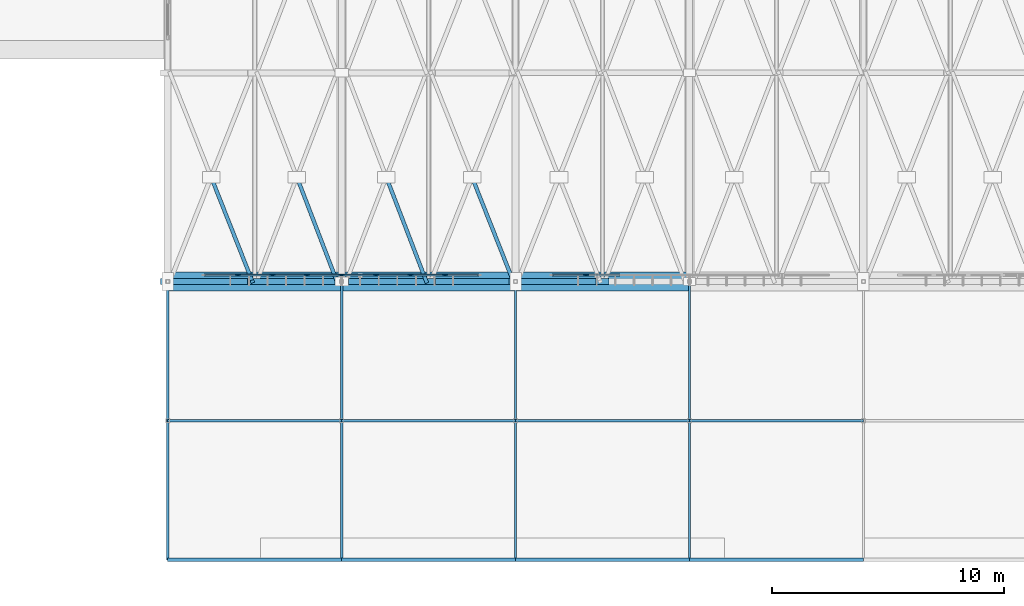
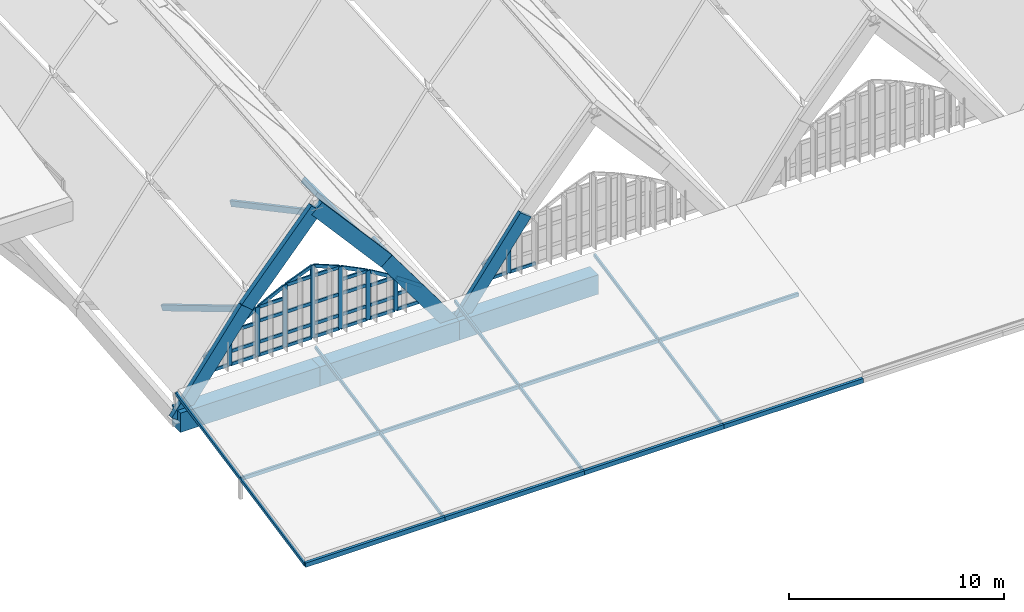
# One storey, part 23 of 93: 62 members, 8 beams, 2 elements without a shape of their own.
"""IFC4 building model written with IfcOpenShell, lengths in metres."""

from ifc_helpers import new_model, si_unit, direction, frame, origin, origin_2d, place, context, subcontext, project, spatial, rectangle, hollow_rectangle, extrude, material, material_profile, profile_set, type_object, element, aggregate, save


model = new_model("IFC4")

# Units and contexts
model_context = context("Model", 3, precision=1e-05, world=origin(), true_north=direction((0.0, 1.0)))
body_context = subcontext(model_context, "Body", "Model", "MODEL_VIEW")
ifc_project = project(units=[si_unit("LENGTHUNIT", "METRE"), si_unit("AREAUNIT", "SQUARE_METRE"), si_unit("VOLUMEUNIT", "CUBIC_METRE"), si_unit("PLANEANGLEUNIT", "RADIAN"), si_unit("MASSUNIT", "GRAM", prefix="KILO")], contexts=[model_context])

# Site, building, storey
site_placement = place(None, origin())
site = spatial("IfcSite", under=ifc_project, at=site_placement, CompositionType="ELEMENT")
building_placement = place(site_placement, origin())
building = spatial("IfcBuilding", under=site, at=building_placement, Name="Vourika Railside Aquatics Centre", CompositionType="ELEMENT")
storey_placement = place(building_placement, frame((0.0, 0.0, 21.89990234375)))
storey = spatial("IfcBuildingStorey", under=building, at=storey_placement, Name="Roof", CompositionType="ELEMENT", Elevation=21.89990234375)

# Beams
ifc_material_1 = material(Name="Glulam GL32h", Category="wood")
ifc_material_profile_1 = material_profile(ifc_material_1, rectangle(XDim=0.239990234375, YDim=0.719970703125, at=origin_2d()), Name="GL32h 240x720")
ifc_profile_set_1 = profile_set([ifc_material_profile_1], Name="Glulam GL32h")
beam_type_1 = type_object("IfcBeamType", Name="BM-GL-ARCH-240x720", PredefinedType="BEAM", material=ifc_profile_set_1)
beam_1_placement = place(storey_placement, frame((51.0, 12.0, -11.699951171875), z_axis=(0.592383087934, 0.0, 0.805656426233), x_axis=(0.0, 1.0, 0.0)))
element("IfcBeam", 1, at=beam_1_placement, inside=storey, type_object=beam_type_1, Name="Pointed Glulam Vault Arch Rib GAR-0035", PredefinedType="BEAM", context=body_context, shape_type="SweptSolid", body=[
    extrude(rectangle(XDim=0.239990234375, YDim=0.719970703125, at=origin_2d()), origin(), (0.0, 0.0, 1.0), 6.330322265625),
])
ifc_material_profile_2 = material_profile(ifc_material_1, rectangle(XDim=0.260009765625, YDim=0.760009765625, at=origin_2d()), Name="GL32h 260x760")
ifc_profile_set_2 = profile_set([ifc_material_profile_2], Name="Glulam GL32h")
beam_type_2 = type_object("IfcBeamType", Name="BM-GL-ARCH-260x760", PredefinedType="BEAM", material=ifc_profile_set_2)
beam_2_placement = place(storey_placement, frame((36.0, 12.0, -11.699951171875), z_axis=(0.592383087934, 0.0, 0.805656426233), x_axis=(0.0, 1.0, 0.0)))
element("IfcBeam", 2, at=beam_2_placement, inside=storey, type_object=beam_type_2, Name="Pointed Glulam Vault Arch Rib GAR-0001", PredefinedType="BEAM", context=body_context, shape_type="SweptSolid", body=[
    extrude(rectangle(XDim=0.260009765625, YDim=0.760009765625, at=origin_2d()), origin(), (0.0, 0.0, 1.0), 6.330322265625),
])
for number, where, z_axis, x_axis, name in (
    (3, (39.75, 12.0, -6.599853515625), (0.657258623263, 0.0, 0.75366511273), (0.0, 1.0, 0.0), "Pointed Glulam Vault Arch Rib GAR-0002"),
    (4, (43.5, 12.0, -2.2998046875), (0.657258623263, 0.0, -0.75366511273), (0.0, 1.0, 0.0), "Pointed Glulam Vault Arch Rib GAR-0003"),
):
    element("IfcBeam", number, at=place(storey_placement, frame(where, z_axis=z_axis, x_axis=x_axis)), inside=storey, type_object=beam_type_2, Name=name, PredefinedType="BEAM", context=body_context, shape_type="SweptSolid", body=[
        extrude(rectangle(XDim=0.260009765625, YDim=0.760009765625, at=origin_2d()), origin(), (0.0, 0.0, 1.0), 5.70556640625),
    ])
beam_3_placement = place(storey_placement, frame((47.25, 12.0, -6.599853515625), z_axis=(0.592383087934, 0.0, -0.805656426233), x_axis=(0.0, 1.0, 0.0)))
element("IfcBeam", 5, at=beam_3_placement, inside=storey, type_object=beam_type_2, Name="Pointed Glulam Vault Arch Rib GAR-0004", PredefinedType="BEAM", context=body_context, shape_type="SweptSolid", body=[
    extrude(rectangle(XDim=0.260009765625, YDim=0.760009765625, at=origin_2d()), origin(), (0.0, 0.0, 1.0), 6.330322265625),
])
ifc_material_2 = material(Name="Concrete C40/50", Category="concrete")
ifc_material_profile_3 = material_profile(ifc_material_2, rectangle(XDim=0.800048828125, YDim=1.10009765625, at=origin_2d()), Name="RC 800x1100")
ifc_profile_set_3 = profile_set([ifc_material_profile_3], Name="Concrete C40/50")
beam_type_3 = type_object("IfcBeamType", Name="BM-RING-800x1100", PredefinedType="BEAM", material=ifc_profile_set_3)
for number, where, z_axis, x_axis, name in (
    (6, (36.0, 12.0, -11.699951171875), (1.0, 0.0, 0.0), (0.0, 1.0, 0.0), "Vault Springing Ring Beam S (36.0-43.5)"),
    (7, (43.5, 12.0, -11.699951171875), (1.0, 0.0, 0.0), (0.0, 1.0, 0.0), "Vault Springing Ring Beam S (43.5-51.0)"),
    (8, (51.0, 12.0, -11.699951171875), (1.0, 0.0, 0.0), (0.0, 1.0, 0.0), "Vault Springing Ring Beam S (51.0-58.5)"),
):
    element("IfcBeam", number, at=place(storey_placement, frame(where, z_axis=z_axis, x_axis=x_axis)), inside=storey, type_object=beam_type_3, Name=name, PredefinedType="BEAM", context=body_context, shape_type="SweptSolid", body=[
        extrude(rectangle(XDim=0.800048828125, YDim=1.10009765625, at=origin_2d()), origin(), (0.0, 0.0, 1.0), 7.5),
    ])

# Curtain wall, members
ifc_material_3 = material(Name="Anodized thermally broken aluminium", Category="aluminium")
curtain_wall_type = type_object("IfcCurtainWallType", Name="CW-VLTS1", PredefinedType="NOTDEFINED", material=ifc_material_3)
curtain_wall_1_placement = place(storey_placement, origin())
curtain_wall_1 = element("IfcCurtainWall", 9, at=curtain_wall_1_placement, inside=storey, type_object=curtain_wall_type, Name="South Boulevard Pointed-Arch Clerestory Curtain Wall Bay 1", PredefinedType="NOTDEFINED")
ifc_material_4 = material(Name="Anodized aluminium mullion", Category="aluminium")
ifc_material_profile_4 = material_profile(ifc_material_4, rectangle(XDim=0.08203125, YDim=0.235107421875, at=origin_2d()), Name="ALU-M 82x235")
ifc_profile_set_4 = profile_set([ifc_material_profile_4], Name="Anodized aluminium mullion")
member_type_1 = type_object("IfcMemberType", Name="CWM-VLTS1", PredefinedType="MULLION", material=ifc_profile_set_4)
member_1_placement = place(storey_placement, frame((39.03759765625, 12.280029296875, -9.8798828125), z_axis=(0.0, 0.0, 1.0), x_axis=(0.0, 1.0, 0.0)))
member_1 = element("IfcMember", 10, at=member_1_placement, type_object=member_type_1, Name="CW03 arch mullion 2", PredefinedType="MULLION", context=body_context, shape_type="SweptSolid", body=[
    extrude(rectangle(XDim=0.08203125, YDim=0.235107421875, at=origin_2d()), origin(), (0.0, 0.0, 1.0), 1.906005859375),
])
member_2_placement = place(storey_placement, frame((40.52490234375, 12.280029296875, -9.8798828125), z_axis=(0.0, 0.0, 1.0), x_axis=(0.0, 1.0, 0.0)))
member_2 = element("IfcMember", 11, at=member_2_placement, type_object=member_type_1, Name="CW03 arch mullion 3", PredefinedType="MULLION", context=body_context, shape_type="SweptSolid", body=[
    extrude(rectangle(XDim=0.08203125, YDim=0.235107421875, at=origin_2d()), origin(), (0.0, 0.0, 1.0), 2.7890625),
])
member_3_placement = place(storey_placement, frame((42.012451171875, 12.280029296875, -9.8798828125), z_axis=(0.0, 0.0, 1.0), x_axis=(0.0, 1.0, 0.0)))
member_3 = element("IfcMember", 12, at=member_3_placement, type_object=member_type_1, Name="CW03 arch mullion 4", PredefinedType="MULLION", context=body_context, shape_type="SweptSolid", body=[
    extrude(rectangle(XDim=0.08203125, YDim=0.235107421875, at=origin_2d()), origin(), (0.0, 0.0, 1.0), 3.531005859375),
])
member_4_placement = place(storey_placement, frame((43.5, 12.280029296875, -9.8798828125), z_axis=(0.0, 0.0, 1.0), x_axis=(0.0, 1.0, 0.0)))
member_4 = element("IfcMember", 13, at=member_4_placement, type_object=member_type_1, Name="CW03 arch mullion 5", PredefinedType="MULLION", context=body_context, shape_type="SweptSolid", body=[
    extrude(rectangle(XDim=0.08203125, YDim=0.235107421875, at=origin_2d()), origin(), (0.0, 0.0, 1.0), 4.1298828125),
])
member_5_placement = place(storey_placement, frame((44.987548828125, 12.280029296875, -9.8798828125), z_axis=(0.0, 0.0, 1.0), x_axis=(0.0, 1.0, 0.0)))
member_5 = element("IfcMember", 14, at=member_5_placement, type_object=member_type_1, Name="CW03 arch mullion 6", PredefinedType="MULLION", context=body_context, shape_type="SweptSolid", body=[
    extrude(rectangle(XDim=0.08203125, YDim=0.235107421875, at=origin_2d()), origin(), (0.0, 0.0, 1.0), 3.531005859375),
])
member_6_placement = place(storey_placement, frame((46.47509765625, 12.280029296875, -9.8798828125), z_axis=(0.0, 0.0, 1.0), x_axis=(0.0, 1.0, 0.0)))
member_6 = element("IfcMember", 15, at=member_6_placement, type_object=member_type_1, Name="CW03 arch mullion 7", PredefinedType="MULLION", context=body_context, shape_type="SweptSolid", body=[
    extrude(rectangle(XDim=0.08203125, YDim=0.235107421875, at=origin_2d()), origin(), (0.0, 0.0, 1.0), 2.7890625),
])
member_7_placement = place(storey_placement, frame((47.96240234375, 12.280029296875, -9.8798828125), z_axis=(0.0, 0.0, 1.0), x_axis=(0.0, 1.0, 0.0)))
member_7 = element("IfcMember", 16, at=member_7_placement, type_object=member_type_1, Name="CW03 arch mullion 8", PredefinedType="MULLION", context=body_context, shape_type="SweptSolid", body=[
    extrude(rectangle(XDim=0.08203125, YDim=0.235107421875, at=origin_2d()), origin(), (0.0, 0.0, 1.0), 1.906005859375),
])

# Curtain wall, member
curtain_wall_2_placement = place(storey_placement, origin())
curtain_wall_2 = element("IfcCurtainWall", 17, at=curtain_wall_2_placement, inside=storey, type_object=curtain_wall_type, Name="South Boulevard Pointed-Arch Clerestory Curtain Wall Bay 2", PredefinedType="NOTDEFINED")
member_8_placement = place(storey_placement, frame((54.03759765625, 12.280029296875, -9.8798828125), z_axis=(0.0, 0.0, 1.0), x_axis=(0.0, 1.0, 0.0)))
member_8 = element("IfcMember", 18, at=member_8_placement, type_object=member_type_1, Name="CW03 arch mullion 2", PredefinedType="MULLION", context=body_context, shape_type="SweptSolid", body=[
    extrude(rectangle(XDim=0.08203125, YDim=0.235107421875, at=origin_2d()), origin(), (0.0, 0.0, 1.0), 1.906005859375),
])

# Member
ifc_material_5 = material(Name="Anodized aluminium transom", Category="aluminium")
ifc_material_profile_5 = material_profile(ifc_material_5, rectangle(XDim=0.08203125, YDim=0.18505859375, at=origin_2d()), Name="ALU-T 82x185")
ifc_profile_set_5 = profile_set([ifc_material_profile_5], Name="Anodized aluminium transom")
member_type_2 = type_object("IfcMemberType", Name="CWT-VLTS1", PredefinedType="USERDEFINED", material=ifc_profile_set_5)
member_9_placement = place(storey_placement, frame((37.632080078125, 12.280029296875, -9.8388671875), z_axis=(1.0, 0.0, 0.0), x_axis=(0.0, 1.0, 0.0)))
member_9 = element("IfcMember", 19, at=member_9_placement, type_object=member_type_2, Name="CW03 transom 1.1", ObjectType="TRANSOM", PredefinedType="USERDEFINED", context=body_context, shape_type="SweptSolid", body=[
    extrude(rectangle(XDim=0.08203125, YDim=0.18505859375, at=origin_2d()), origin(), (0.0, 0.0, 1.0), 1.364501953125),
])

member_10_placement = place(storey_placement, frame((37.632080078125, 12.280029296875, -8.98095703125), z_axis=(1.0, 0.0, 0.0), x_axis=(0.0, 1.0, 0.0)))
member_10 = element("IfcMember", 20, at=member_10_placement, type_object=member_type_2, Name="CW03 transom 1.2", ObjectType="TRANSOM", PredefinedType="USERDEFINED", context=body_context, shape_type="SweptSolid", body=[
    extrude(rectangle(XDim=0.08203125, YDim=0.18505859375, at=origin_2d()), origin(), (0.0, 0.0, 1.0), 1.364501953125),
])

member_11_placement = place(storey_placement, frame((37.632080078125, 12.280029296875, -8.98095703125), z_axis=(0.823796708212, 0.0, 0.566885335442), x_axis=(0.0, 1.0, 0.0)))
member_11 = element("IfcMember", 21, at=member_11_placement, type_object=member_type_2, Name="CW03 arch chord transom 1", ObjectType="TRANSOM", PredefinedType="USERDEFINED", context=body_context, shape_type="SweptSolid", body=[
    extrude(rectangle(XDim=0.08203125, YDim=0.18505859375, at=origin_2d()), origin(), (0.0, 0.0, 1.0), 1.65625),
])

member_12_placement = place(storey_placement, frame((39.07861328125, 12.280029296875, -9.8388671875), z_axis=(1.0, 0.0, 0.0), x_axis=(0.0, 1.0, 0.0)))
member_12 = element("IfcMember", 22, at=member_12_placement, type_object=member_type_2, Name="CW03 transom 2.1", ObjectType="TRANSOM", PredefinedType="USERDEFINED", context=body_context, shape_type="SweptSolid", body=[
    extrude(rectangle(XDim=0.08203125, YDim=0.18505859375, at=origin_2d()), origin(), (0.0, 0.0, 1.0), 1.4052734375),
])

member_13_placement = place(storey_placement, frame((39.07861328125, 12.280029296875, -9.099853515625), z_axis=(1.0, 0.0, 0.0), x_axis=(0.0, 1.0, 0.0)))
member_13 = element("IfcMember", 23, at=member_13_placement, type_object=member_type_2, Name="CW03 transom 2.2", ObjectType="TRANSOM", PredefinedType="USERDEFINED", context=body_context, shape_type="SweptSolid", body=[
    extrude(rectangle(XDim=0.08203125, YDim=0.18505859375, at=origin_2d()), origin(), (0.0, 0.0, 1.0), 1.4052734375),
])

member_14_placement = place(storey_placement, frame((39.07861328125, 12.280029296875, -7.989013671875), z_axis=(1.0, 0.0, 0.0), x_axis=(0.0, 1.0, 0.0)))
member_14 = element("IfcMember", 24, at=member_14_placement, type_object=member_type_2, Name="CW03 transom 2.3", ObjectType="TRANSOM", PredefinedType="USERDEFINED", context=body_context, shape_type="SweptSolid", body=[
    extrude(rectangle(XDim=0.08203125, YDim=0.18505859375, at=origin_2d()), origin(), (0.0, 0.0, 1.0), 1.4052734375),
])

member_15_placement = place(storey_placement, frame((39.07861328125, 12.280029296875, -7.989013671875), z_axis=(0.859633394337, 0.0, 0.510911369359), x_axis=(0.0, 1.0, 0.0)))
member_15 = element("IfcMember", 25, at=member_15_placement, type_object=member_type_2, Name="CW03 arch chord transom 2", ObjectType="TRANSOM", PredefinedType="USERDEFINED", context=body_context, shape_type="SweptSolid", body=[
    extrude(rectangle(XDim=0.08203125, YDim=0.18505859375, at=origin_2d()), origin(), (0.0, 0.0, 1.0), 1.634765625),
])

member_16_placement = place(storey_placement, frame((40.56591796875, 12.280029296875, -9.8388671875), z_axis=(1.0, 0.0, 0.0), x_axis=(0.0, 1.0, 0.0)))
member_16 = element("IfcMember", 26, at=member_16_placement, type_object=member_type_2, Name="CW03 transom 3.1", ObjectType="TRANSOM", PredefinedType="USERDEFINED", context=body_context, shape_type="SweptSolid", body=[
    extrude(rectangle(XDim=0.08203125, YDim=0.18505859375, at=origin_2d()), origin(), (0.0, 0.0, 1.0), 1.405517578125),
])

member_17_placement = place(storey_placement, frame((40.56591796875, 12.280029296875, -9.099853515625), z_axis=(1.0, 0.0, 0.0), x_axis=(0.0, 1.0, 0.0)))
member_17 = element("IfcMember", 27, at=member_17_placement, type_object=member_type_2, Name="CW03 transom 3.2", ObjectType="TRANSOM", PredefinedType="USERDEFINED", context=body_context, shape_type="SweptSolid", body=[
    extrude(rectangle(XDim=0.08203125, YDim=0.18505859375, at=origin_2d()), origin(), (0.0, 0.0, 1.0), 1.405517578125),
])

member_18_placement = place(storey_placement, frame((40.56591796875, 12.280029296875, -7.89990234375), z_axis=(1.0, 0.0, 0.0), x_axis=(0.0, 1.0, 0.0)))
member_18 = element("IfcMember", 28, at=member_18_placement, type_object=member_type_2, Name="CW03 transom 3.3", ObjectType="TRANSOM", PredefinedType="USERDEFINED", context=body_context, shape_type="SweptSolid", body=[
    extrude(rectangle(XDim=0.08203125, YDim=0.18505859375, at=origin_2d()), origin(), (0.0, 0.0, 1.0), 1.405517578125),
])

member_19_placement = place(storey_placement, frame((40.56591796875, 12.280029296875, -7.10888671875), z_axis=(1.0, 0.0, 0.0), x_axis=(0.0, 1.0, 0.0)))
member_19 = element("IfcMember", 29, at=member_19_placement, type_object=member_type_2, Name="CW03 transom 3.4", ObjectType="TRANSOM", PredefinedType="USERDEFINED", context=body_context, shape_type="SweptSolid", body=[
    extrude(rectangle(XDim=0.08203125, YDim=0.18505859375, at=origin_2d()), origin(), (0.0, 0.0, 1.0), 1.405517578125),
])

member_20_placement = place(storey_placement, frame((40.56591796875, 12.280029296875, -7.10888671875), z_axis=(0.895141289392, 0.0, 0.445782538942), x_axis=(0.0, 1.0, 0.0)))
member_20 = element("IfcMember", 30, at=member_20_placement, type_object=member_type_2, Name="CW03 arch chord transom 3", ObjectType="TRANSOM", PredefinedType="USERDEFINED", context=body_context, shape_type="SweptSolid", body=[
    extrude(rectangle(XDim=0.08203125, YDim=0.18505859375, at=origin_2d()), origin(), (0.0, 0.0, 1.0), 1.570068359375),
])

member_21_placement = place(storey_placement, frame((42.053466796875, 12.280029296875, -9.8388671875), z_axis=(1.0, 0.0, 0.0), x_axis=(0.0, 1.0, 0.0)))
member_21 = element("IfcMember", 31, at=member_21_placement, type_object=member_type_2, Name="CW03 transom 4.1", ObjectType="TRANSOM", PredefinedType="USERDEFINED", context=body_context, shape_type="SweptSolid", body=[
    extrude(rectangle(XDim=0.08203125, YDim=0.18505859375, at=origin_2d()), origin(), (0.0, 0.0, 1.0), 1.405517578125),
])

member_22_placement = place(storey_placement, frame((42.053466796875, 12.280029296875, -9.099853515625), z_axis=(1.0, 0.0, 0.0), x_axis=(0.0, 1.0, 0.0)))
member_22 = element("IfcMember", 32, at=member_22_placement, type_object=member_type_2, Name="CW03 transom 4.2", ObjectType="TRANSOM", PredefinedType="USERDEFINED", context=body_context, shape_type="SweptSolid", body=[
    extrude(rectangle(XDim=0.08203125, YDim=0.18505859375, at=origin_2d()), origin(), (0.0, 0.0, 1.0), 1.405517578125),
])

member_23_placement = place(storey_placement, frame((42.053466796875, 12.280029296875, -7.89990234375), z_axis=(1.0, 0.0, 0.0), x_axis=(0.0, 1.0, 0.0)))
member_23 = element("IfcMember", 33, at=member_23_placement, type_object=member_type_2, Name="CW03 transom 4.3", ObjectType="TRANSOM", PredefinedType="USERDEFINED", context=body_context, shape_type="SweptSolid", body=[
    extrude(rectangle(XDim=0.08203125, YDim=0.18505859375, at=origin_2d()), origin(), (0.0, 0.0, 1.0), 1.405517578125),
])

member_24_placement = place(storey_placement, frame((42.053466796875, 12.280029296875, -6.371826171875), z_axis=(1.0, 0.0, 0.0), x_axis=(0.0, 1.0, 0.0)))
member_24 = element("IfcMember", 34, at=member_24_placement, type_object=member_type_2, Name="CW03 transom 4.4", ObjectType="TRANSOM", PredefinedType="USERDEFINED", context=body_context, shape_type="SweptSolid", body=[
    extrude(rectangle(XDim=0.08203125, YDim=0.18505859375, at=origin_2d()), origin(), (0.0, 0.0, 1.0), 1.405517578125),
])

member_25_placement = place(storey_placement, frame((42.053466796875, 12.280029296875, -6.371826171875), z_axis=(0.927629742849, 0.0, 0.373501084579), x_axis=(0.0, 1.0, 0.0)))
member_25 = element("IfcMember", 35, at=member_25_placement, type_object=member_type_2, Name="CW03 arch chord transom 4", ObjectType="TRANSOM", PredefinedType="USERDEFINED", context=body_context, shape_type="SweptSolid", body=[
    extrude(rectangle(XDim=0.08203125, YDim=0.18505859375, at=origin_2d()), origin(), (0.0, 0.0, 1.0), 1.51513671875),
])

member_26_placement = place(storey_placement, frame((43.541015625, 12.280029296875, -9.8388671875), z_axis=(1.0, 0.0, 0.0), x_axis=(0.0, 1.0, 0.0)))
member_26 = element("IfcMember", 36, at=member_26_placement, type_object=member_type_2, Name="CW03 transom 5.1", ObjectType="TRANSOM", PredefinedType="USERDEFINED", context=body_context, shape_type="SweptSolid", body=[
    extrude(rectangle(XDim=0.08203125, YDim=0.18505859375, at=origin_2d()), origin(), (0.0, 0.0, 1.0), 1.405517578125),
])

member_27_placement = place(storey_placement, frame((43.541015625, 12.280029296875, -9.099853515625), z_axis=(1.0, 0.0, 0.0), x_axis=(0.0, 1.0, 0.0)))
member_27 = element("IfcMember", 37, at=member_27_placement, type_object=member_type_2, Name="CW03 transom 5.2", ObjectType="TRANSOM", PredefinedType="USERDEFINED", context=body_context, shape_type="SweptSolid", body=[
    extrude(rectangle(XDim=0.08203125, YDim=0.18505859375, at=origin_2d()), origin(), (0.0, 0.0, 1.0), 1.405517578125),
])

member_28_placement = place(storey_placement, frame((43.541015625, 12.280029296875, -7.89990234375), z_axis=(1.0, 0.0, 0.0), x_axis=(0.0, 1.0, 0.0)))
member_28 = element("IfcMember", 38, at=member_28_placement, type_object=member_type_2, Name="CW03 transom 5.3", ObjectType="TRANSOM", PredefinedType="USERDEFINED", context=body_context, shape_type="SweptSolid", body=[
    extrude(rectangle(XDim=0.08203125, YDim=0.18505859375, at=origin_2d()), origin(), (0.0, 0.0, 1.0), 1.405517578125),
])

member_29_placement = place(storey_placement, frame((43.541015625, 12.280029296875, -6.371826171875), z_axis=(1.0, 0.0, 0.0), x_axis=(0.0, 1.0, 0.0)))
member_29 = element("IfcMember", 39, at=member_29_placement, type_object=member_type_2, Name="CW03 transom 5.4", ObjectType="TRANSOM", PredefinedType="USERDEFINED", context=body_context, shape_type="SweptSolid", body=[
    extrude(rectangle(XDim=0.08203125, YDim=0.18505859375, at=origin_2d()), origin(), (0.0, 0.0, 1.0), 1.405517578125),
])

member_30_placement = place(storey_placement, frame((43.541015625, 12.280029296875, -5.805908203125), z_axis=(0.927629742849, 0.0, -0.373501084579), x_axis=(0.0, 1.0, 0.0)))
member_30 = element("IfcMember", 40, at=member_30_placement, type_object=member_type_2, Name="CW03 arch chord transom 5", ObjectType="TRANSOM", PredefinedType="USERDEFINED", context=body_context, shape_type="SweptSolid", body=[
    extrude(rectangle(XDim=0.08203125, YDim=0.18505859375, at=origin_2d()), origin(), (0.0, 0.0, 1.0), 1.51513671875),
])

member_31_placement = place(storey_placement, frame((45.028564453125, 12.280029296875, -9.8388671875), z_axis=(1.0, 0.0, 0.0), x_axis=(0.0, 1.0, 0.0)))
member_31 = element("IfcMember", 41, at=member_31_placement, type_object=member_type_2, Name="CW03 transom 6.1", ObjectType="TRANSOM", PredefinedType="USERDEFINED", context=body_context, shape_type="SweptSolid", body=[
    extrude(rectangle(XDim=0.08203125, YDim=0.18505859375, at=origin_2d()), origin(), (0.0, 0.0, 1.0), 1.405517578125),
])

member_32_placement = place(storey_placement, frame((45.028564453125, 12.280029296875, -9.099853515625), z_axis=(1.0, 0.0, 0.0), x_axis=(0.0, 1.0, 0.0)))
member_32 = element("IfcMember", 42, at=member_32_placement, type_object=member_type_2, Name="CW03 transom 6.2", ObjectType="TRANSOM", PredefinedType="USERDEFINED", context=body_context, shape_type="SweptSolid", body=[
    extrude(rectangle(XDim=0.08203125, YDim=0.18505859375, at=origin_2d()), origin(), (0.0, 0.0, 1.0), 1.405517578125),
])

member_33_placement = place(storey_placement, frame((45.028564453125, 12.280029296875, -7.89990234375), z_axis=(1.0, 0.0, 0.0), x_axis=(0.0, 1.0, 0.0)))
member_33 = element("IfcMember", 43, at=member_33_placement, type_object=member_type_2, Name="CW03 transom 6.3", ObjectType="TRANSOM", PredefinedType="USERDEFINED", context=body_context, shape_type="SweptSolid", body=[
    extrude(rectangle(XDim=0.08203125, YDim=0.18505859375, at=origin_2d()), origin(), (0.0, 0.0, 1.0), 1.405517578125),
])

member_34_placement = place(storey_placement, frame((45.028564453125, 12.280029296875, -7.10888671875), z_axis=(1.0, 0.0, 0.0), x_axis=(0.0, 1.0, 0.0)))
member_34 = element("IfcMember", 44, at=member_34_placement, type_object=member_type_2, Name="CW03 transom 6.4", ObjectType="TRANSOM", PredefinedType="USERDEFINED", context=body_context, shape_type="SweptSolid", body=[
    extrude(rectangle(XDim=0.08203125, YDim=0.18505859375, at=origin_2d()), origin(), (0.0, 0.0, 1.0), 1.405517578125),
])

member_35_placement = place(storey_placement, frame((45.028564453125, 12.280029296875, -6.408935546875), z_axis=(0.895141289392, 0.0, -0.445782538942), x_axis=(0.0, 1.0, 0.0)))
member_35 = element("IfcMember", 45, at=member_35_placement, type_object=member_type_2, Name="CW03 arch chord transom 6", ObjectType="TRANSOM", PredefinedType="USERDEFINED", context=body_context, shape_type="SweptSolid", body=[
    extrude(rectangle(XDim=0.08203125, YDim=0.18505859375, at=origin_2d()), origin(), (0.0, 0.0, 1.0), 1.570068359375),
])

member_36_placement = place(storey_placement, frame((46.51611328125, 12.280029296875, -9.8388671875), z_axis=(1.0, 0.0, 0.0), x_axis=(0.0, 1.0, 0.0)))
member_36 = element("IfcMember", 46, at=member_36_placement, type_object=member_type_2, Name="CW03 transom 7.1", ObjectType="TRANSOM", PredefinedType="USERDEFINED", context=body_context, shape_type="SweptSolid", body=[
    extrude(rectangle(XDim=0.08203125, YDim=0.18505859375, at=origin_2d()), origin(), (0.0, 0.0, 1.0), 1.4052734375),
])

member_37_placement = place(storey_placement, frame((46.51611328125, 12.280029296875, -9.099853515625), z_axis=(1.0, 0.0, 0.0), x_axis=(0.0, 1.0, 0.0)))
member_37 = element("IfcMember", 47, at=member_37_placement, type_object=member_type_2, Name="CW03 transom 7.2", ObjectType="TRANSOM", PredefinedType="USERDEFINED", context=body_context, shape_type="SweptSolid", body=[
    extrude(rectangle(XDim=0.08203125, YDim=0.18505859375, at=origin_2d()), origin(), (0.0, 0.0, 1.0), 1.4052734375),
])

member_38_placement = place(storey_placement, frame((46.51611328125, 12.280029296875, -7.989013671875), z_axis=(1.0, 0.0, 0.0), x_axis=(0.0, 1.0, 0.0)))
member_38 = element("IfcMember", 48, at=member_38_placement, type_object=member_type_2, Name="CW03 transom 7.3", ObjectType="TRANSOM", PredefinedType="USERDEFINED", context=body_context, shape_type="SweptSolid", body=[
    extrude(rectangle(XDim=0.08203125, YDim=0.18505859375, at=origin_2d()), origin(), (0.0, 0.0, 1.0), 1.4052734375),
])

member_39_placement = place(storey_placement, frame((46.51611328125, 12.280029296875, -7.15380859375), z_axis=(0.859633394337, 0.0, -0.510911369359), x_axis=(0.0, 1.0, 0.0)))
member_39 = element("IfcMember", 49, at=member_39_placement, type_object=member_type_2, Name="CW03 arch chord transom 7", ObjectType="TRANSOM", PredefinedType="USERDEFINED", context=body_context, shape_type="SweptSolid", body=[
    extrude(rectangle(XDim=0.08203125, YDim=0.18505859375, at=origin_2d()), origin(), (0.0, 0.0, 1.0), 1.634765625),
])

member_40_placement = place(storey_placement, frame((48.00341796875, 12.280029296875, -9.8388671875), z_axis=(1.0, 0.0, 0.0), x_axis=(0.0, 1.0, 0.0)))
member_40 = element("IfcMember", 50, at=member_40_placement, type_object=member_type_2, Name="CW03 transom 8.1", ObjectType="TRANSOM", PredefinedType="USERDEFINED", context=body_context, shape_type="SweptSolid", body=[
    extrude(rectangle(XDim=0.08203125, YDim=0.18505859375, at=origin_2d()), origin(), (0.0, 0.0, 1.0), 1.364501953125),
])

member_41_placement = place(storey_placement, frame((48.00341796875, 12.280029296875, -8.98095703125), z_axis=(1.0, 0.0, 0.0), x_axis=(0.0, 1.0, 0.0)))
member_41 = element("IfcMember", 51, at=member_41_placement, type_object=member_type_2, Name="CW03 transom 8.2", ObjectType="TRANSOM", PredefinedType="USERDEFINED", context=body_context, shape_type="SweptSolid", body=[
    extrude(rectangle(XDim=0.08203125, YDim=0.18505859375, at=origin_2d()), origin(), (0.0, 0.0, 1.0), 1.364501953125),
])

member_42_placement = place(storey_placement, frame((48.00341796875, 12.280029296875, -8.0419921875), z_axis=(0.823796708212, 0.0, -0.566885335442), x_axis=(0.0, 1.0, 0.0)))
member_42 = element("IfcMember", 52, at=member_42_placement, type_object=member_type_2, Name="CW03 arch chord transom 8", ObjectType="TRANSOM", PredefinedType="USERDEFINED", context=body_context, shape_type="SweptSolid", body=[
    extrude(rectangle(XDim=0.08203125, YDim=0.18505859375, at=origin_2d()), origin(), (0.0, 0.0, 1.0), 1.65625),
])

aggregate(curtain_wall_1, [member_1, member_2, member_3, member_4, member_5, member_6, member_7, member_9, member_10, member_11, member_12, member_13, member_14, member_15, member_16, member_17, member_18, member_19, member_20, member_21, member_22, member_23, member_24, member_25, member_26, member_27, member_28, member_29, member_30, member_31, member_32, member_33, member_34, member_35, member_36, member_37, member_38, member_39, member_40, member_41, member_42])

member_43_placement = place(storey_placement, frame((52.632080078125, 12.280029296875, -9.8388671875), z_axis=(1.0, 0.0, 0.0), x_axis=(0.0, 1.0, 0.0)))
member_43 = element("IfcMember", 53, at=member_43_placement, type_object=member_type_2, Name="CW03 transom 1.1", ObjectType="TRANSOM", PredefinedType="USERDEFINED", context=body_context, shape_type="SweptSolid", body=[
    extrude(rectangle(XDim=0.08203125, YDim=0.18505859375, at=origin_2d()), origin(), (0.0, 0.0, 1.0), 1.364501953125),
])

member_44_placement = place(storey_placement, frame((52.632080078125, 12.280029296875, -8.98095703125), z_axis=(1.0, 0.0, 0.0), x_axis=(0.0, 1.0, 0.0)))
member_44 = element("IfcMember", 54, at=member_44_placement, type_object=member_type_2, Name="CW03 transom 1.2", ObjectType="TRANSOM", PredefinedType="USERDEFINED", context=body_context, shape_type="SweptSolid", body=[
    extrude(rectangle(XDim=0.08203125, YDim=0.18505859375, at=origin_2d()), origin(), (0.0, 0.0, 1.0), 1.364501953125),
])

member_45_placement = place(storey_placement, frame((52.632080078125, 12.280029296875, -8.98095703125), z_axis=(0.823796708212, 0.0, 0.566885335442), x_axis=(0.0, 1.0, 0.0)))
member_45 = element("IfcMember", 55, at=member_45_placement, type_object=member_type_2, Name="CW03 arch chord transom 1", ObjectType="TRANSOM", PredefinedType="USERDEFINED", context=body_context, shape_type="SweptSolid", body=[
    extrude(rectangle(XDim=0.08203125, YDim=0.18505859375, at=origin_2d()), origin(), (0.0, 0.0, 1.0), 1.65625),
])

member_46_placement = place(storey_placement, frame((54.07861328125, 12.280029296875, -9.8388671875), z_axis=(1.0, 0.0, 0.0), x_axis=(0.0, 1.0, 0.0)))
member_46 = element("IfcMember", 56, at=member_46_placement, type_object=member_type_2, Name="CW03 transom 2.1", ObjectType="TRANSOM", PredefinedType="USERDEFINED", context=body_context, shape_type="SweptSolid", body=[
    extrude(rectangle(XDim=0.08203125, YDim=0.18505859375, at=origin_2d()), origin(), (0.0, 0.0, 1.0), 1.4052734375),
])

aggregate(curtain_wall_2, [member_8, member_43, member_44, member_45, member_46])

# Members
ifc_material_6 = material(Name="Glulam GL28h", Category="wood")
ifc_material_profile_6 = material_profile(ifc_material_6, rectangle(XDim=0.159912109375, YDim=0.320068359375, at=origin_2d()), Name="GL28h 160x320")
ifc_profile_set_6 = profile_set([ifc_material_profile_6], Name="Glulam GL28h")
member_type_3 = type_object("IfcMemberType", Name="MEM-GL-LATH2", PredefinedType="BRACE", material=ifc_profile_set_6)
member_47_placement = place(storey_placement, frame((39.655029296875, 12.0, -6.72021484375), z_axis=(-0.339212920269, 0.857546639199, -0.386714825576), x_axis=(-0.929892910811, -0.367830360933, 0.0)))
element("IfcMember", 57, at=member_47_placement, inside=storey, type_object=member_type_3, Name="Gridshell Split Counter Lath GLB1-0004", PredefinedType="BRACE", context=body_context, shape_type="SweptSolid", body=[
    extrude(rectangle(XDim=0.159912109375, YDim=0.320068359375, at=origin_2d()), origin(), (0.0, 0.0, 1.0), 5.24755859375),
])
member_48_placement = place(storey_placement, frame((43.300048828125, 12.0, -2.5205078125), z_axis=(-0.340375084547, 0.886629954547, -0.31310082325), x_axis=(-0.933569951957, -0.358395235463, 0.0)))
element("IfcMember", 58, at=member_48_placement, inside=storey, type_object=member_type_3, Name="Gridshell Split Counter Lath GLB1-0006", PredefinedType="BRACE", context=body_context, shape_type="SweptSolid", body=[
    extrude(rectangle(XDim=0.159912109375, YDim=0.320068359375, at=origin_2d()), origin(), (0.0, 0.0, 1.0), 5.075439453125),
])
member_49_placement = place(storey_placement, frame((47.155029296875, 12.0, -6.482177734375), z_axis=(-0.321554017818, 0.837603682367, 0.441614181057), x_axis=(-0.933569951957, -0.358395235463, 0.0)))
element("IfcMember", 59, at=member_49_placement, inside=storey, type_object=member_type_3, Name="Gridshell Split Counter Lath GLB1-0008", PredefinedType="BRACE", context=body_context, shape_type="SweptSolid", body=[
    extrude(rectangle(XDim=0.159912109375, YDim=0.320068359375, at=origin_2d()), origin(), (0.0, 0.0, 1.0), 5.37255859375),
])
member_50_placement = place(storey_placement, frame((50.905029296875, 12.0, -11.56201171875), z_axis=(-0.318021320636, 0.803973252223, 0.502483282639), x_axis=(-0.929892910811, -0.367830360933, 0.0)))
element("IfcMember", 60, at=member_50_placement, inside=storey, type_object=member_type_3, Name="Gridshell Split Counter Lath GLB1-0010", PredefinedType="BRACE", context=body_context, shape_type="SweptSolid", body=[
    extrude(rectangle(XDim=0.159912109375, YDim=0.320068359375, at=origin_2d()), origin(), (0.0, 0.0, 1.0), 5.59716796875),
])
ifc_material_7 = material(Name="Steel S355J2", Category="steel")
ifc_material_profile_7 = material_profile(ifc_material_7, hollow_rectangle(XDim=0.10009765625, YDim=0.179931640625, WallThickness=0.008056640625, at=origin_2d()), Name="RHS 180x100x8")
ifc_profile_set_7 = profile_set([ifc_material_profile_7], Name="Steel S355J2")
member_type_4 = type_object("IfcMemberType", Name="MEM-STL-RHS180", PredefinedType="RAFTER", material=ifc_profile_set_7)
for number, where, z_axis, x_axis, name in (
    (61, (36.0, 0.0, -12.699951171875), (0.0, 0.979788513636, 0.200036168098), (-1.0, 0.0, 0.0), "Changing Roof Sloped Rafter V4R-36.0"),
    (62, (43.5, 0.0, -12.699951171875), (0.0, 0.979788513636, 0.200036168098), (-1.0, 0.0, 0.0), "Changing Roof Sloped Rafter V4R-43.5"),
    (63, (51.0, 0.0, -12.699951171875), (0.0, 0.979788513636, 0.200036168098), (-1.0, 0.0, 0.0), "Changing Roof Sloped Rafter V4R-51.0"),
    (64, (58.5, 0.0, -12.699951171875), (0.0, 0.979788513636, 0.200036168098), (-1.0, 0.0, 0.0), "Changing Roof Sloped Rafter V4R-58.5"),
):
    element("IfcMember", number, at=place(storey_placement, frame(where, z_axis=z_axis, x_axis=x_axis)), inside=storey, type_object=member_type_4, Name=name, PredefinedType="RAFTER", context=body_context, shape_type="SweptSolid", body=[
        extrude(hollow_rectangle(XDim=0.10009765625, YDim=0.179931640625, WallThickness=0.008056640625, at=origin_2d()), origin(), (0.0, 0.0, 1.0), 12.24755859375),
    ])
ifc_material_profile_8 = material_profile(ifc_material_7, hollow_rectangle(XDim=0.1201171875, YDim=0.199951171875, WallThickness=0.008056640625, at=origin_2d()), Name="RHS 200x120x8")
ifc_profile_set_8 = profile_set([ifc_material_profile_8], Name="Steel S355J2")
member_type_5 = type_object("IfcMemberType", Name="MEM-STL-RHS200", PredefinedType="PURLIN", material=ifc_profile_set_8)
for number, where, z_axis, x_axis, name in (
    (65, (36.0, 6.0, -11.474853515625), (1.0, 0.0, 0.0), (0.0, 1.0, 0.0), "Changing Roof RHS Purlin V4P-36.0-43.5"),
    (66, (43.5, 6.0, -11.474853515625), (1.0, 0.0, 0.0), (0.0, 1.0, 0.0), "Changing Roof RHS Purlin V4P-43.5-51.0"),
    (67, (51.0, 6.0, -11.474853515625), (1.0, 0.0, 0.0), (0.0, 1.0, 0.0), "Changing Roof RHS Purlin V4P-51.0-58.5"),
    (68, (58.5, 6.0, -11.474853515625), (1.0, 0.0, 0.0), (0.0, 1.0, 0.0), "Changing Roof RHS Purlin V4P-58.5-66.0"),
):
    element("IfcMember", number, at=place(storey_placement, frame(where, z_axis=z_axis, x_axis=x_axis)), inside=storey, type_object=member_type_5, Name=name, PredefinedType="PURLIN", context=body_context, shape_type="SweptSolid", body=[
        extrude(hollow_rectangle(XDim=0.1201171875, YDim=0.199951171875, WallThickness=0.008056640625, at=origin_2d()), origin(), (0.0, 0.0, 1.0), 7.5),
    ])
ifc_material_profile_9 = material_profile(ifc_material_7, hollow_rectangle(XDim=0.14990234375, YDim=0.25, WallThickness=0.010009765625, at=origin_2d()), Name="RHS 250x150x10")
ifc_profile_set_9 = profile_set([ifc_material_profile_9], Name="Steel S355J2")
member_type_6 = type_object("IfcMemberType", Name="MEM-STL-RHS250", PredefinedType="PURLIN", material=ifc_profile_set_9)
for number, where, z_axis, x_axis, name in (
    (69, (36.0, 0.0, -12.719970703125), (1.0, 0.0, 0.0), (0.0, 1.0, 0.0), "Changing Roof Eave Purlin V4E-36.0-43.5"),
    (70, (43.5, 0.0, -12.719970703125), (1.0, 0.0, 0.0), (0.0, 1.0, 0.0), "Changing Roof Eave Purlin V4E-43.5-51.0"),
    (71, (51.0, 0.0, -12.719970703125), (1.0, 0.0, 0.0), (0.0, 1.0, 0.0), "Changing Roof Eave Purlin V4E-51.0-58.5"),
    (72, (58.5, 0.0, -12.719970703125), (1.0, 0.0, 0.0), (0.0, 1.0, 0.0), "Changing Roof Eave Purlin V4E-58.5-66.0"),
):
    element("IfcMember", number, at=place(storey_placement, frame(where, z_axis=z_axis, x_axis=x_axis)), inside=storey, type_object=member_type_6, Name=name, PredefinedType="PURLIN", context=body_context, shape_type="SweptSolid", body=[
        extrude(hollow_rectangle(XDim=0.14990234375, YDim=0.25, WallThickness=0.010009765625, at=origin_2d()), origin(), (0.0, 0.0, 1.0), 7.5),
    ])

save(model, "model.ifc")
